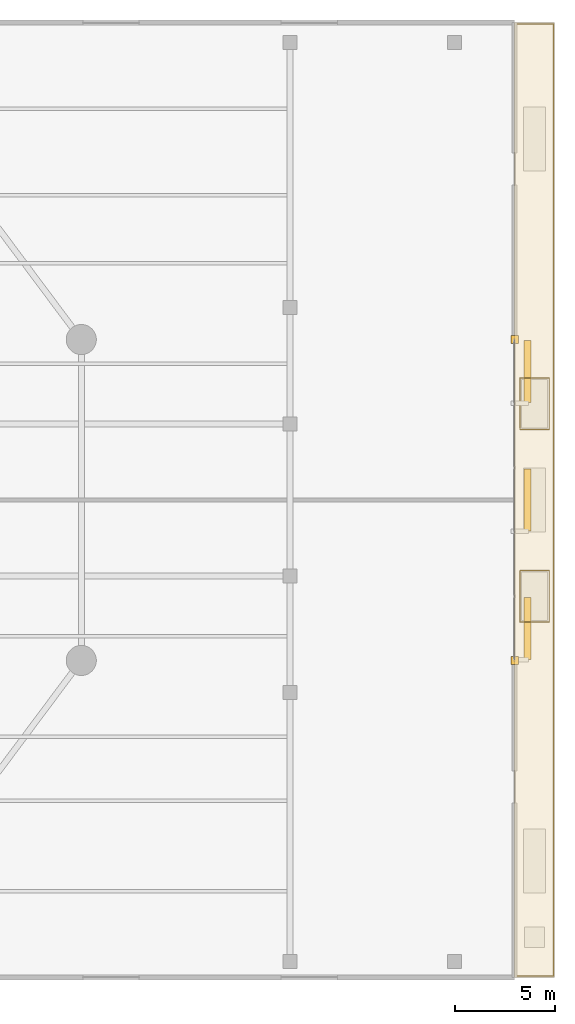
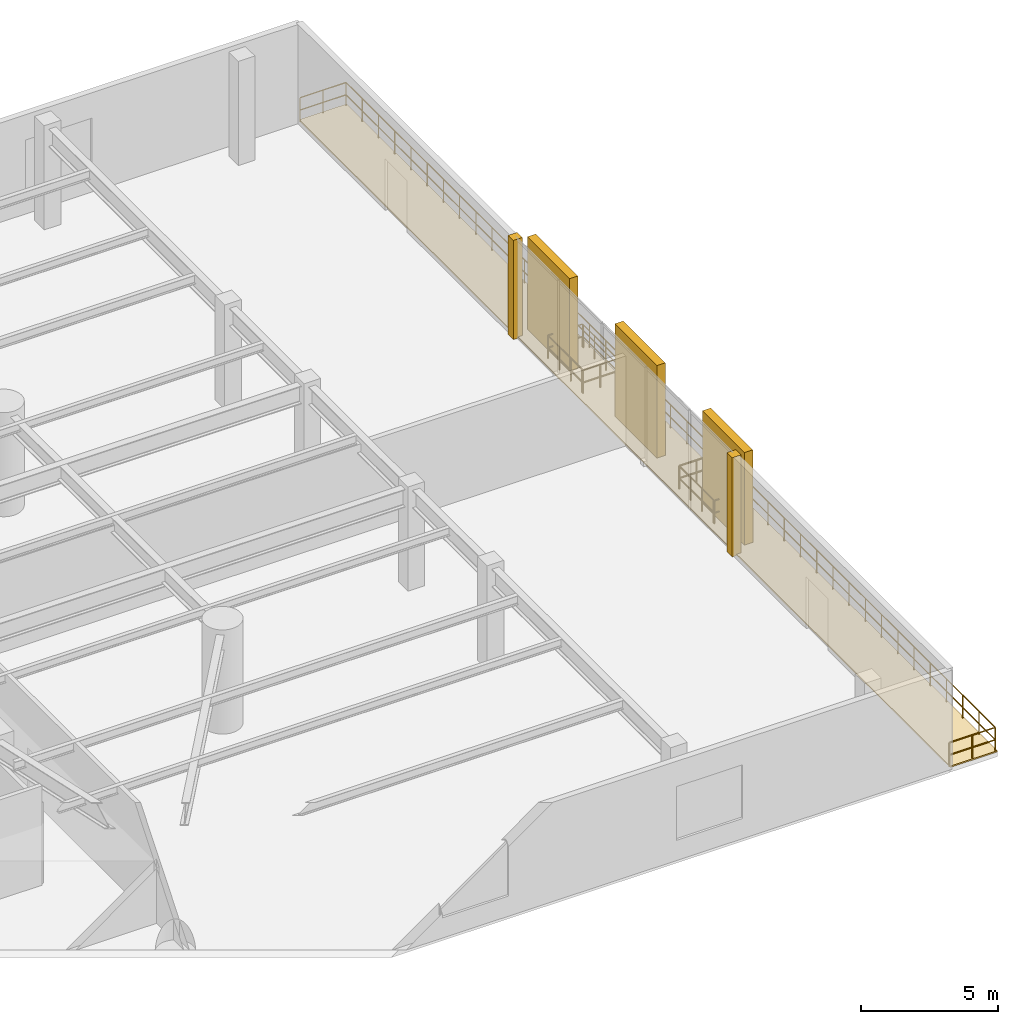
# One storey, part 16 of 16: 5 railings, 3 coverings, 3 shading devices.
"""IFC4 building model written with IfcOpenShell, lengths in metres."""

from ifc_helpers import new_model, si_unit, direction, frame, origin, origin_2d, place, context, subcontext, project, spatial, polyline, rectangle, circle, outline, extrude, material, layer, layer_set, type_object, element, save


model = new_model("IFC4")

# Units and contexts
model_context = context("Model", 3, precision=1e-05, world=origin(), true_north=direction((0.0, 1.0)))
body_context = subcontext(model_context, "Body", "Model", "MODEL_VIEW")
ifc_project = project(units=[si_unit("LENGTHUNIT", "METRE"), si_unit("AREAUNIT", "SQUARE_METRE"), si_unit("VOLUMEUNIT", "CUBIC_METRE"), si_unit("PLANEANGLEUNIT", "RADIAN"), si_unit("MASSUNIT", "GRAM", prefix="KILO")], contexts=[model_context])

# Site, building, storey
site_placement = place(None, origin())
site = spatial("IfcSite", under=ifc_project, at=site_placement, CompositionType="ELEMENT")
building_placement = place(site_placement, origin())
building = spatial("IfcBuilding", under=site, at=building_placement, Name="An Khanh Terracotta Commons", CompositionType="ELEMENT")
storey_placement = place(building_placement, frame((0.0, 0.0, 10.050048828125)))
storey = spatial("IfcBuildingStorey", under=building, at=storey_placement, Name="L03", CompositionType="ELEMENT", Elevation=10.050048828125)

# Coverings
ifc_material_1 = material(Name="Fired Terracotta Rainscreen Cladding", Category="masonry")
ifc_layer_1 = layer(ifc_material_1, 0.080078125, Name="Fired Terracotta Rainscreen Cladding")
ifc_layer_set_1 = layer_set([ifc_layer_1], Name="Fired Terracotta Rainscreen Cladding")
covering_type_1 = type_object("IfcCoveringType", Name="COV-JAMB-TERRA", PredefinedType="CLADDING", material=ifc_layer_set_1)
for number, where, z_axis, x_axis, name in (
    (1, (69.800048828125, 16.0, 0.0), (0.0, 0.0, 1.0), (1.0, 0.0, 0.0), "L03 CW-01 Curtain-Wall Jamb Closure JA"),
    (2, (69.800048828125, 32.0, 0.0), (0.0, 0.0, 1.0), (1.0, 0.0, 0.0), "L03 CW-01 Curtain-Wall Jamb Closure JB"),
):
    element("IfcCovering", number, at=place(storey_placement, frame(where, z_axis=z_axis, x_axis=x_axis)), inside=storey, type_object=covering_type_1, Name=name, PredefinedType="CLADDING", context=body_context, shape_type="SweptSolid", body=[
        extrude(rectangle(XDim=0.3798828125, YDim=0.3798828125, at=origin_2d()), origin(), (0.0, 0.0, 1.0), 4.429931640625),
    ])
ifc_material_2 = material(Name="Planted Garden Waterproofing Membrane")
ifc_layer_2 = layer(ifc_material_2, 0.080078125, Name="Planted Garden Waterproofing Membrane")
ifc_layer_set_2 = layer_set([ifc_layer_2], Name="Planted Garden Waterproofing Membrane")
covering_type_2 = type_object("IfcCoveringType", Name="COV-ROOFING-GREEN", PredefinedType="ROOFING", material=ifc_layer_set_2)
covering_placement = place(storey_placement, origin())
element("IfcCovering", 3, at=covering_placement, inside=storey, type_object=covering_type_2, Name="L03 Cascading Terrace Waterproofing and Drainage Mat", PredefinedType="ROOFING", context=body_context, shape_type="SweptSolid", body=[
    extrude(outline(polyline([(69.800048828125, 0.199951171875), (71.800048828125, 0.199951171875), (71.800048828125, 47.800048828125), (69.800048828125, 47.800048828125), (69.800048828125, 0.199951171875)])), origin(), (0.0, 0.0, 1.0), 0.06005859375),
])

# Railings
ifc_material_3 = material(Name="Brushed Stainless Steel 316", Category="steel")
railing_type = type_object("IfcRailingType", Name="RAIL-BALUSTRADE-1100", PredefinedType="BALUSTRADE", material=ifc_material_3)
railing_1_placement = place(storey_placement, frame((69.800048828125, 0.260009765625, 0.0)))
element("IfcRailing", 4, at=railing_1_placement, inside=storey, type_object=railing_type, Name="L03 Cascading Garden Terrace Balustrade", PredefinedType="BALUSTRADE", context=body_context, shape_type="SweptSolid", body=[
    extrude(circle(Radius=0.02392578125, at=origin_2d()), frame((0.0, 0.0, 1.076171875), z_axis=(1.0, 0.0, 0.0), x_axis=(0.0, 1.0, 0.0)), (0.0, 0.0, 1.0), 1.93994140625),
    extrude(circle(Radius=0.02392578125, at=origin_2d()), frame((0.0, 0.0, 0.52587890625), z_axis=(1.0, 0.0, 0.0), x_axis=(0.0, 1.0, 0.0)), (0.0, 0.0, 1.0), 1.93994140625),
    extrude(circle(Radius=0.02392578125, at=origin_2d()), frame((1.93994140625, 0.0, 1.076171875), z_axis=(0.0, 1.0, 0.0), x_axis=(-1.0, 0.0, 0.0)), (0.0, 0.0, 1.0), 47.47998046875),
    extrude(circle(Radius=0.02392578125, at=origin_2d()), frame((1.93994140625, 0.0, 0.52587890625), z_axis=(0.0, 1.0, 0.0), x_axis=(-1.0, 0.0, 0.0)), (0.0, 0.0, 1.0), 47.47998046875),
    extrude(circle(Radius=0.02392578125, at=origin_2d()), frame((1.93994140625, 47.47998046875, 1.076171875), z_axis=(-1.0, 0.0, 0.0), x_axis=(0.0, -1.0, 0.0)), (0.0, 0.0, 1.0), 1.93994140625),
    extrude(circle(Radius=0.02392578125, at=origin_2d()), frame((1.93994140625, 47.47998046875, 0.52587890625), z_axis=(-1.0, 0.0, 0.0), x_axis=(0.0, -1.0, 0.0)), (0.0, 0.0, 1.0), 1.93994140625),
    extrude(circle(Radius=0.02099609375, at=origin_2d()), origin(), (0.0, 0.0, 1.0), 1.052001953125),
    extrude(circle(Radius=0.02099609375, at=origin_2d()), frame((0.969970703125, 0.0, 0.0)), (0.0, 0.0, 1.0), 1.052001953125),
    extrude(circle(Radius=0.02099609375, at=origin_2d()), frame((1.93994140625, 0.0, 0.0)), (0.0, 0.0, 1.0), 1.052001953125),
    extrude(circle(Radius=0.02099609375, at=origin_2d()), frame((1.93994140625, 1.18701171875, 0.0)), (0.0, 0.0, 1.0), 1.052001953125),
    extrude(circle(Radius=0.02099609375, at=origin_2d()), frame((1.93994140625, 2.3740234375, 0.0)), (0.0, 0.0, 1.0), 1.052001953125),
    extrude(circle(Radius=0.02099609375, at=origin_2d()), frame((1.93994140625, 3.56103515625, 0.0)), (0.0, 0.0, 1.0), 1.052001953125),
    extrude(circle(Radius=0.02099609375, at=origin_2d()), frame((1.93994140625, 4.748046875, 0.0)), (0.0, 0.0, 1.0), 1.052001953125),
    extrude(circle(Radius=0.02099609375, at=origin_2d()), frame((1.93994140625, 5.93505859375, 0.0)), (0.0, 0.0, 1.0), 1.052001953125),
    extrude(circle(Radius=0.02099609375, at=origin_2d()), frame((1.93994140625, 7.1220703125, 0.0)), (0.0, 0.0, 1.0), 1.052001953125),
    extrude(circle(Radius=0.02099609375, at=origin_2d()), frame((1.93994140625, 8.30908203125, 0.0)), (0.0, 0.0, 1.0), 1.052001953125),
    extrude(circle(Radius=0.02099609375, at=origin_2d()), frame((1.93994140625, 9.49609375, 0.0)), (0.0, 0.0, 1.0), 1.052001953125),
    extrude(circle(Radius=0.02099609375, at=origin_2d()), frame((1.93994140625, 10.68310546875, 0.0)), (0.0, 0.0, 1.0), 1.052001953125),
    extrude(circle(Radius=0.02099609375, at=origin_2d()), frame((1.93994140625, 11.8701171875, 0.0)), (0.0, 0.0, 1.0), 1.052001953125),
    extrude(circle(Radius=0.02099609375, at=origin_2d()), frame((1.93994140625, 13.056884765625, 0.0)), (0.0, 0.0, 1.0), 1.052001953125),
    extrude(circle(Radius=0.02099609375, at=origin_2d()), frame((1.93994140625, 14.243896484375, 0.0)), (0.0, 0.0, 1.0), 1.052001953125),
    extrude(circle(Radius=0.02099609375, at=origin_2d()), frame((1.93994140625, 15.430908203125, 0.0)), (0.0, 0.0, 1.0), 1.052001953125),
    extrude(circle(Radius=0.02099609375, at=origin_2d()), frame((1.93994140625, 16.617919921875, 0.0)), (0.0, 0.0, 1.0), 1.052001953125),
    extrude(circle(Radius=0.02099609375, at=origin_2d()), frame((1.93994140625, 17.804931640625, 0.0)), (0.0, 0.0, 1.0), 1.052001953125),
    extrude(circle(Radius=0.02099609375, at=origin_2d()), frame((1.93994140625, 18.991943359375, 0.0)), (0.0, 0.0, 1.0), 1.052001953125),
    extrude(circle(Radius=0.02099609375, at=origin_2d()), frame((1.93994140625, 20.178955078125, 0.0)), (0.0, 0.0, 1.0), 1.052001953125),
    extrude(circle(Radius=0.02099609375, at=origin_2d()), frame((1.93994140625, 21.365966796875, 0.0)), (0.0, 0.0, 1.0), 1.052001953125),
    extrude(circle(Radius=0.02099609375, at=origin_2d()), frame((1.93994140625, 22.552978515625, 0.0)), (0.0, 0.0, 1.0), 1.052001953125),
    extrude(circle(Radius=0.02099609375, at=origin_2d()), frame((1.93994140625, 23.739990234375, 0.0)), (0.0, 0.0, 1.0), 1.052001953125),
    extrude(circle(Radius=0.02099609375, at=origin_2d()), frame((1.93994140625, 24.927001953125, 0.0)), (0.0, 0.0, 1.0), 1.052001953125),
    extrude(circle(Radius=0.02099609375, at=origin_2d()), frame((1.93994140625, 26.114013671875, 0.0)), (0.0, 0.0, 1.0), 1.052001953125),
    extrude(circle(Radius=0.02099609375, at=origin_2d()), frame((1.93994140625, 27.301025390625, 0.0)), (0.0, 0.0, 1.0), 1.052001953125),
    extrude(circle(Radius=0.02099609375, at=origin_2d()), frame((1.93994140625, 28.488037109375, 0.0)), (0.0, 0.0, 1.0), 1.052001953125),
    extrude(circle(Radius=0.02099609375, at=origin_2d()), frame((1.93994140625, 29.675048828125, 0.0)), (0.0, 0.0, 1.0), 1.052001953125),
    extrude(circle(Radius=0.02099609375, at=origin_2d()), frame((1.93994140625, 30.862060546875, 0.0)), (0.0, 0.0, 1.0), 1.052001953125),
    extrude(circle(Radius=0.02099609375, at=origin_2d()), frame((1.93994140625, 32.049072265625, 0.0)), (0.0, 0.0, 1.0), 1.052001953125),
    extrude(circle(Radius=0.02099609375, at=origin_2d()), frame((1.93994140625, 33.236083984375, 0.0)), (0.0, 0.0, 1.0), 1.052001953125),
    extrude(circle(Radius=0.02099609375, at=origin_2d()), frame((1.93994140625, 34.423095703125, 0.0)), (0.0, 0.0, 1.0), 1.052001953125),
    extrude(circle(Radius=0.02099609375, at=origin_2d()), frame((1.93994140625, 35.60986328125, 0.0)), (0.0, 0.0, 1.0), 1.052001953125),
    extrude(circle(Radius=0.02099609375, at=origin_2d()), frame((1.93994140625, 36.796875, 0.0)), (0.0, 0.0, 1.0), 1.052001953125),
    extrude(circle(Radius=0.02099609375, at=origin_2d()), frame((1.93994140625, 37.98388671875, 0.0)), (0.0, 0.0, 1.0), 1.052001953125),
    extrude(circle(Radius=0.02099609375, at=origin_2d()), frame((1.93994140625, 39.1708984375, 0.0)), (0.0, 0.0, 1.0), 1.052001953125),
    extrude(circle(Radius=0.02099609375, at=origin_2d()), frame((1.93994140625, 40.35791015625, 0.0)), (0.0, 0.0, 1.0), 1.052001953125),
    extrude(circle(Radius=0.02099609375, at=origin_2d()), frame((1.93994140625, 41.544921875, 0.0)), (0.0, 0.0, 1.0), 1.052001953125),
    extrude(circle(Radius=0.02099609375, at=origin_2d()), frame((1.93994140625, 42.73193359375, 0.0)), (0.0, 0.0, 1.0), 1.052001953125),
    extrude(circle(Radius=0.02099609375, at=origin_2d()), frame((1.93994140625, 43.9189453125, 0.0)), (0.0, 0.0, 1.0), 1.052001953125),
    extrude(circle(Radius=0.02099609375, at=origin_2d()), frame((1.93994140625, 45.10595703125, 0.0)), (0.0, 0.0, 1.0), 1.052001953125),
    extrude(circle(Radius=0.02099609375, at=origin_2d()), frame((1.93994140625, 46.29296875, 0.0)), (0.0, 0.0, 1.0), 1.052001953125),
    extrude(circle(Radius=0.02099609375, at=origin_2d()), frame((1.93994140625, 47.47998046875, 0.0)), (0.0, 0.0, 1.0), 1.052001953125),
    extrude(circle(Radius=0.02099609375, at=origin_2d()), frame((0.969970703125, 47.47998046875, 0.0)), (0.0, 0.0, 1.0), 1.052001953125),
    extrude(circle(Radius=0.02099609375, at=origin_2d()), frame((0.0, 47.47998046875, 0.0)), (0.0, 0.0, 1.0), 1.052001953125),
])
railing_2_placement = place(storey_placement, frame((70.070068359375, 17.919921875, 0.0)))
element("IfcRailing", 5, at=railing_2_placement, inside=storey, type_object=railing_type, Name="L03 Terrace Skylight Guard 1A", PredefinedType="BALUSTRADE", context=body_context, shape_type="SweptSolid", body=[
    extrude(circle(Radius=0.02392578125, at=origin_2d()), frame((0.0, 0.0, 1.076171875), z_axis=(1.0, 0.0, 0.0), x_axis=(0.0, 1.0, 0.0)), (0.0, 0.0, 1.0), 1.4599609375),
    extrude(circle(Radius=0.02392578125, at=origin_2d()), frame((0.0, 0.0, 0.52587890625), z_axis=(1.0, 0.0, 0.0), x_axis=(0.0, 1.0, 0.0)), (0.0, 0.0, 1.0), 1.4599609375),
    extrude(circle(Radius=0.02392578125, at=origin_2d()), frame((1.4599609375, 0.0, 1.076171875), z_axis=(0.0, 1.0, 0.0), x_axis=(-1.0, 0.0, 0.0)), (0.0, 0.0, 1.0), 2.510009765625),
    extrude(circle(Radius=0.02392578125, at=origin_2d()), frame((1.4599609375, 0.0, 0.52587890625), z_axis=(0.0, 1.0, 0.0), x_axis=(-1.0, 0.0, 0.0)), (0.0, 0.0, 1.0), 2.510009765625),
    extrude(circle(Radius=0.02099609375, at=origin_2d()), origin(), (0.0, 0.0, 1.0), 1.052001953125),
    extrude(circle(Radius=0.02099609375, at=origin_2d()), frame((0.72998046875, 0.0, 0.0)), (0.0, 0.0, 1.0), 1.052001953125),
    extrude(circle(Radius=0.02099609375, at=origin_2d()), frame((1.4599609375, 0.0, 0.0)), (0.0, 0.0, 1.0), 1.052001953125),
    extrude(circle(Radius=0.02099609375, at=origin_2d()), frame((1.4599609375, 0.836669921875, 0.0)), (0.0, 0.0, 1.0), 1.052001953125),
    extrude(circle(Radius=0.02099609375, at=origin_2d()), frame((1.4599609375, 1.67333984375, 0.0)), (0.0, 0.0, 1.0), 1.052001953125),
    extrude(circle(Radius=0.02099609375, at=origin_2d()), frame((1.4599609375, 2.510009765625, 0.0)), (0.0, 0.0, 1.0), 1.052001953125),
])
railing_3_placement = place(storey_placement, frame((71.530029296875, 20.47998046875, 0.0)))
element("IfcRailing", 6, at=railing_3_placement, inside=storey, type_object=railing_type, Name="L03 Terrace Skylight Guard 1B", PredefinedType="BALUSTRADE", context=body_context, shape_type="SweptSolid", body=[
    extrude(circle(Radius=0.02392578125, at=origin_2d()), frame((0.0, 0.0, 1.076171875), z_axis=(-1.0, 0.0, 0.0), x_axis=(0.0, -1.0, 0.0)), (0.0, 0.0, 1.0), 1.4599609375),
    extrude(circle(Radius=0.02392578125, at=origin_2d()), frame((0.0, 0.0, 0.52587890625), z_axis=(-1.0, 0.0, 0.0), x_axis=(0.0, -1.0, 0.0)), (0.0, 0.0, 1.0), 1.4599609375),
    extrude(circle(Radius=0.02392578125, at=origin_2d()), frame((-1.4599609375, 0.0, 1.076171875), z_axis=(0.0, -1.0, 0.0), x_axis=(1.0, 0.0, 0.0)), (0.0, 0.0, 1.0), 2.510009765625),
    extrude(circle(Radius=0.02392578125, at=origin_2d()), frame((-1.4599609375, 0.0, 0.52587890625), z_axis=(0.0, -1.0, 0.0), x_axis=(1.0, 0.0, 0.0)), (0.0, 0.0, 1.0), 2.510009765625),
    extrude(circle(Radius=0.02099609375, at=origin_2d()), origin(), (0.0, 0.0, 1.0), 1.052001953125),
    extrude(circle(Radius=0.02099609375, at=origin_2d()), frame((-0.72998046875, 0.0, 0.0)), (0.0, 0.0, 1.0), 1.052001953125),
    extrude(circle(Radius=0.02099609375, at=origin_2d()), frame((-1.4599609375, 0.0, 0.0)), (0.0, 0.0, 1.0), 1.052001953125),
    extrude(circle(Radius=0.02099609375, at=origin_2d()), frame((-1.4599609375, -0.836669921875, 0.0)), (0.0, 0.0, 1.0), 1.052001953125),
    extrude(circle(Radius=0.02099609375, at=origin_2d()), frame((-1.4599609375, -1.67333984375, 0.0)), (0.0, 0.0, 1.0), 1.052001953125),
    extrude(circle(Radius=0.02099609375, at=origin_2d()), frame((-1.4599609375, -2.510009765625, 0.0)), (0.0, 0.0, 1.0), 1.052001953125),
])
railing_4_placement = place(storey_placement, frame((70.070068359375, 27.52001953125, 0.0)))
element("IfcRailing", 7, at=railing_4_placement, inside=storey, type_object=railing_type, Name="L03 Terrace Skylight Guard 2A", PredefinedType="BALUSTRADE", context=body_context, shape_type="SweptSolid", body=[
    extrude(circle(Radius=0.02392578125, at=origin_2d()), frame((0.0, 0.0, 1.076171875), z_axis=(1.0, 0.0, 0.0), x_axis=(0.0, 1.0, 0.0)), (0.0, 0.0, 1.0), 1.4599609375),
    extrude(circle(Radius=0.02392578125, at=origin_2d()), frame((0.0, 0.0, 0.52587890625), z_axis=(1.0, 0.0, 0.0), x_axis=(0.0, 1.0, 0.0)), (0.0, 0.0, 1.0), 1.4599609375),
    extrude(circle(Radius=0.02392578125, at=origin_2d()), frame((1.4599609375, 0.0, 1.076171875), z_axis=(0.0, 1.0, 0.0), x_axis=(-1.0, 0.0, 0.0)), (0.0, 0.0, 1.0), 2.510009765625),
    extrude(circle(Radius=0.02392578125, at=origin_2d()), frame((1.4599609375, 0.0, 0.52587890625), z_axis=(0.0, 1.0, 0.0), x_axis=(-1.0, 0.0, 0.0)), (0.0, 0.0, 1.0), 2.510009765625),
    extrude(circle(Radius=0.02099609375, at=origin_2d()), origin(), (0.0, 0.0, 1.0), 1.052001953125),
    extrude(circle(Radius=0.02099609375, at=origin_2d()), frame((0.72998046875, 0.0, 0.0)), (0.0, 0.0, 1.0), 1.052001953125),
    extrude(circle(Radius=0.02099609375, at=origin_2d()), frame((1.4599609375, 0.0, 0.0)), (0.0, 0.0, 1.0), 1.052001953125),
    extrude(circle(Radius=0.02099609375, at=origin_2d()), frame((1.4599609375, 0.836669921875, 0.0)), (0.0, 0.0, 1.0), 1.052001953125),
    extrude(circle(Radius=0.02099609375, at=origin_2d()), frame((1.4599609375, 1.67333984375, 0.0)), (0.0, 0.0, 1.0), 1.052001953125),
    extrude(circle(Radius=0.02099609375, at=origin_2d()), frame((1.4599609375, 2.510009765625, 0.0)), (0.0, 0.0, 1.0), 1.052001953125),
])
railing_5_placement = place(storey_placement, frame((71.530029296875, 30.080078125, 0.0)))
element("IfcRailing", 8, at=railing_5_placement, inside=storey, type_object=railing_type, Name="L03 Terrace Skylight Guard 2B", PredefinedType="BALUSTRADE", context=body_context, shape_type="SweptSolid", body=[
    extrude(circle(Radius=0.02392578125, at=origin_2d()), frame((0.0, 0.0, 1.076171875), z_axis=(-1.0, 0.0, 0.0), x_axis=(0.0, -1.0, 0.0)), (0.0, 0.0, 1.0), 1.4599609375),
    extrude(circle(Radius=0.02392578125, at=origin_2d()), frame((0.0, 0.0, 0.52587890625), z_axis=(-1.0, 0.0, 0.0), x_axis=(0.0, -1.0, 0.0)), (0.0, 0.0, 1.0), 1.4599609375),
    extrude(circle(Radius=0.02392578125, at=origin_2d()), frame((-1.4599609375, 0.0, 1.076171875), z_axis=(0.0, -1.0, 0.0), x_axis=(1.0, 0.0, 0.0)), (0.0, 0.0, 1.0), 2.510009765625),
    extrude(circle(Radius=0.02392578125, at=origin_2d()), frame((-1.4599609375, 0.0, 0.52587890625), z_axis=(0.0, -1.0, 0.0), x_axis=(1.0, 0.0, 0.0)), (0.0, 0.0, 1.0), 2.510009765625),
    extrude(circle(Radius=0.02099609375, at=origin_2d()), origin(), (0.0, 0.0, 1.0), 1.052001953125),
    extrude(circle(Radius=0.02099609375, at=origin_2d()), frame((-0.72998046875, 0.0, 0.0)), (0.0, 0.0, 1.0), 1.052001953125),
    extrude(circle(Radius=0.02099609375, at=origin_2d()), frame((-1.4599609375, 0.0, 0.0)), (0.0, 0.0, 1.0), 1.052001953125),
    extrude(circle(Radius=0.02099609375, at=origin_2d()), frame((-1.4599609375, -0.836669921875, 0.0)), (0.0, 0.0, 1.0), 1.052001953125),
    extrude(circle(Radius=0.02099609375, at=origin_2d()), frame((-1.4599609375, -1.67333984375, 0.0)), (0.0, 0.0, 1.0), 1.052001953125),
    extrude(circle(Radius=0.02099609375, at=origin_2d()), frame((-1.4599609375, -2.510009765625, 0.0)), (0.0, 0.0, 1.0), 1.052001953125),
])

# Shading devices
ifc_material_4 = material(Name="Extruded Fired Terracotta", Category="masonry")
shading_device_type = type_object("IfcShadingDeviceType", Name="Terracotta Baguette Screen Assembly", PredefinedType="USERDEFINED", material=ifc_material_4)
for number, where, z_axis, x_axis, name in (
    (9, (70.449951171875, 17.60009765625, 0.14990234375), (0.0, 0.0, 1.0), (0.0, 1.0, 0.0), "L03 Terracotta Baguette Screen 1"),
    (10, (70.449951171875, 24.0, 0.14990234375), (0.0, 0.0, 1.0), (0.0, 1.0, 0.0), "L03 Terracotta Baguette Screen 3"),
    (11, (70.449951171875, 30.39990234375, 0.14990234375), (0.0, 0.0, 1.0), (0.0, 1.0, 0.0), "L03 Terracotta Baguette Screen 5"),
):
    element("IfcShadingDevice", number, at=place(storey_placement, frame(where, z_axis=z_axis, x_axis=x_axis)), inside=storey, type_object=shading_device_type, Name=name, ObjectType="BAGUETTE", PredefinedType="USERDEFINED", context=body_context, shape_type="SweptSolid", body=[
        extrude(rectangle(XDim=3.080078125, YDim=0.35009765625, at=origin_2d()), origin(), (0.0, 0.0, 1.0), 4.1298828125),
    ])

save(model, "model.ifc")
